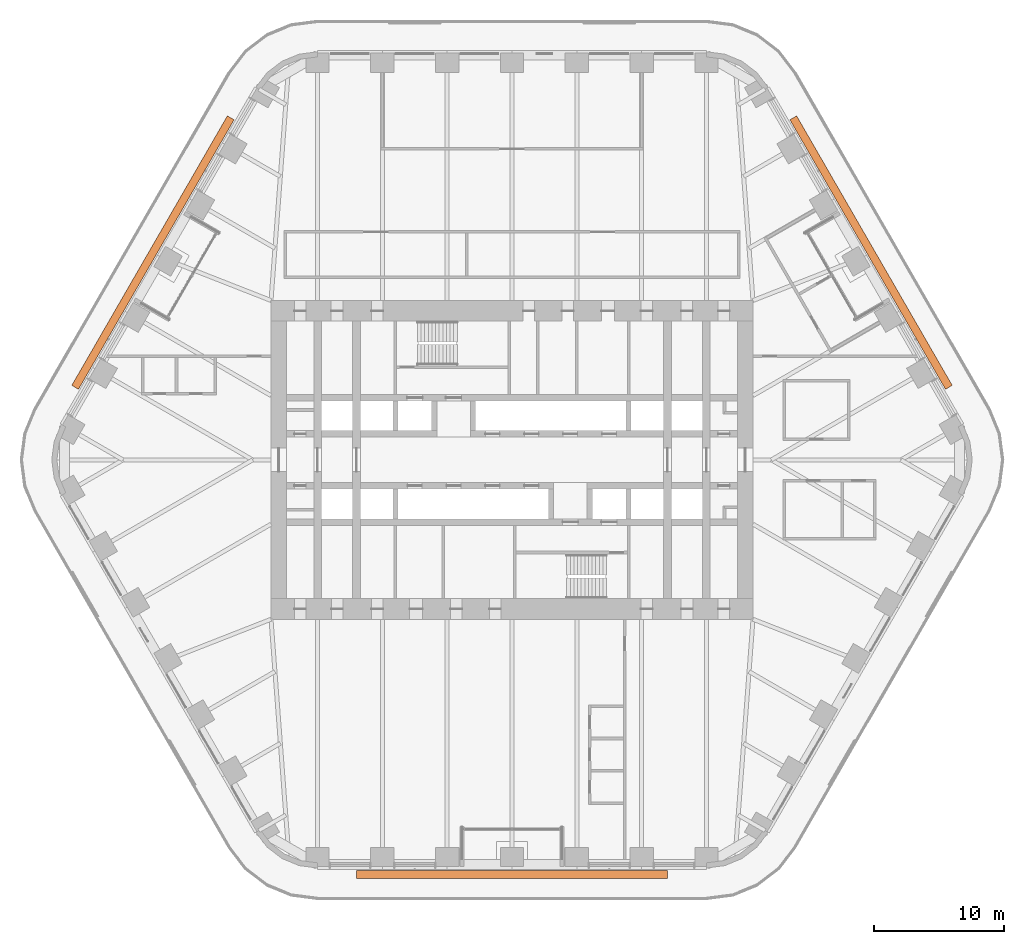
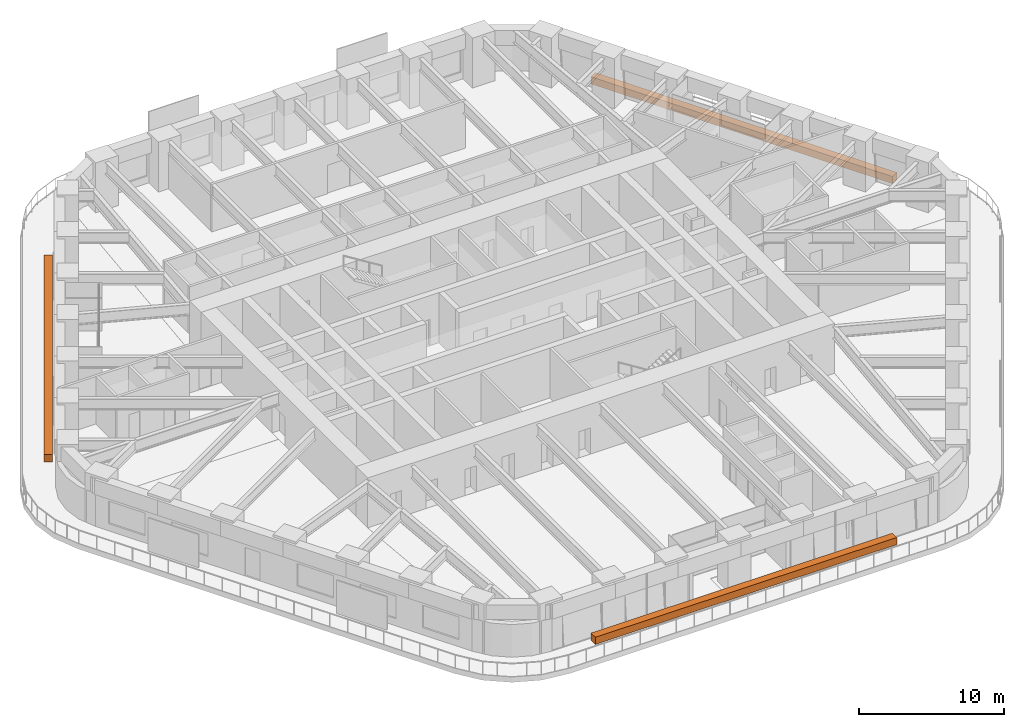
# One storey, part 24 of 24: 3 proxies.
"""IFC4 building model written with IfcOpenShell, lengths in metres."""

import ifcopenshell
import ifcopenshell.guid

model = None  # the IFC model being written
_history = None  # IfcOwnerHistory: only IFC2X3 demands one
_inside = {}  # id of a spatial element -> (the spatial element, [elements in it])
_under = {}  # id of a project, library or spatial element -> (it, [spatial elements below it])
_declared = {}  # id of a project -> (the project, [libraries it declares])
_typed = {}  # id of a type object -> (the type object, [elements of that type])
_made_of = {}  # id of a material, layer set ... -> (it, [elements and type objects made of it])


def new_model(schema):
    """Start an empty IFC model of exactly this schema.

    Asked for "IFC4X3", IfcOpenShell would pick the latest addendum, in which some entities
    have other attributes; the version numbers below select the first issue.
    IFC2X3 requires an IfcOwnerHistory on every rooted entity: one is made here for all.
    """
    global model, _history
    if schema == "IFC4X3":
        model = ifcopenshell.file(schema_version=(4, 3, 0, 0))
    else:
        model = ifcopenshell.file(schema=schema)
    _inside.clear()
    _under.clear()
    _declared.clear()
    _typed.clear()
    _made_of.clear()
    _history = None
    if model.schema == "IFC2X3":
        org = make("IfcOrganization", Name="unknown")
        user = make(
            "IfcPersonAndOrganization",
            ThePerson=make("IfcPerson", FamilyName="unknown"),
            TheOrganization=org,
        )
        app = make(
            "IfcApplication",
            ApplicationDeveloper=org,
            Version="unknown",
            ApplicationFullName="unknown",
            ApplicationIdentifier="unknown",
        )
        _history = make(
            "IfcOwnerHistory",
            OwningUser=user,
            OwningApplication=app,
            ChangeAction="ADDED",
            CreationDate=0,
        )
    return model


def make(cls, **values):
    """One entity of the class cls with the attributes given. An attribute that is None is left unset."""
    return model.create_entity(
        cls, **{name: value for name, value in values.items() if value is not None}
    )


def rooted(cls, **values):
    """An entity with a GlobalId (a new one), such as an element, a storey or a relation."""
    return make(cls, GlobalId=ifcopenshell.guid.new(), OwnerHistory=_history, **values)


def si_unit(unit_type, name, prefix=None):
    """IfcSIUnit, for example si_unit("LENGTHUNIT", "METRE", prefix="MILLI")."""
    return make("IfcSIUnit", UnitType=unit_type, Prefix=prefix, Name=name)


def assignment(units):
    """IfcUnitAssignment: the units of a project."""
    return None if units is None else make("IfcUnitAssignment", Units=units)


def point(xyz):
    """IfcCartesianPoint."""
    return None if xyz is None else make("IfcCartesianPoint", Coordinates=xyz)


def direction(xyz):
    """IfcDirection."""
    return None if xyz is None else make("IfcDirection", DirectionRatios=xyz)


def frame(location, z_axis=None, x_axis=None):
    """IfcAxis2Placement3D, a coordinate frame: its origin and axes. An axis left out is left unset."""
    return make(
        "IfcAxis2Placement3D",
        Location=point(location),
        Axis=direction(z_axis),
        RefDirection=direction(x_axis),
    )


def frame_2d(location, x_axis=None):
    """IfcAxis2Placement2D, a coordinate frame in the plane: its origin and x axis."""
    return make(
        "IfcAxis2Placement2D", Location=point(location), RefDirection=direction(x_axis)
    )


def origin():
    """The frame at (0, 0, 0) with its axes left unset."""
    return frame((0.0, 0.0, 0.0))


def origin_2d():
    """The frame at (0, 0) in the plane with its x axis left unset."""
    return frame_2d((0.0, 0.0))


def place(relative_to, where):
    """IfcLocalPlacement: puts the frame where relative to a parent placement (None: the world)."""
    return make(
        "IfcLocalPlacement", PlacementRelTo=relative_to, RelativePlacement=where
    )


def context(
    kind, dimensions, precision=None, world=None, true_north=None, identifier=None
):
    """IfcGeometricRepresentationContext, for example the 3D "Model" context."""
    return make(
        "IfcGeometricRepresentationContext",
        ContextIdentifier=identifier,
        ContextType=kind,
        CoordinateSpaceDimension=dimensions,
        Precision=precision,
        WorldCoordinateSystem=world,
        TrueNorth=true_north,
    )


def subcontext(parent, identifier, kind, view, scale=None):
    """IfcGeometricRepresentationSubContext, for example "Body" below "Model"."""
    return make(
        "IfcGeometricRepresentationSubContext",
        ContextIdentifier=identifier,
        ContextType=kind,
        ParentContext=parent,
        TargetScale=scale,
        TargetView=view,
    )


def project(units=None, contexts=None):
    """IfcProject with its units and contexts."""
    return rooted(
        "IfcProject",
        Name="project",
        RepresentationContexts=contexts,
        UnitsInContext=assignment(units),
    )


def spatial(cls, under=None, at=None, **own):
    """A site, building, storey or space (cls), placed at a placement, below another one or the project."""
    s = rooted(cls, ObjectPlacement=at, **own)
    if under is not None:
        _under.setdefault(under.id(), (under, []))[1].append(s)
    return s


def profile(cls, at=None, kind="AREA", **sizes):
    """A parametric profile (cls). Its sizes go by their IFC names, for example OverallWidth=200.0."""
    return make(cls, ProfileType=kind, Position=at, **sizes)


def rectangle(**sizes):
    """IfcRectangleProfileDef."""
    return profile("IfcRectangleProfileDef", **sizes)


def extrude(swept, where, along, depth):
    """IfcExtrudedAreaSolid: the profile swept, set in the frame where, extruded along a direction by depth."""
    return make(
        "IfcExtrudedAreaSolid",
        SweptArea=swept,
        Position=where,
        ExtrudedDirection=direction(along),
        Depth=depth,
    )


def shape(context_of_items, identifier, shape_type, items):
    """IfcShapeRepresentation: the items that make up one representation, for example the "Body"."""
    return make(
        "IfcShapeRepresentation",
        ContextOfItems=context_of_items,
        RepresentationIdentifier=identifier,
        RepresentationType=shape_type,
        Items=items,
    )


def material(Name=None, Category=None):
    """IfcMaterial."""
    return make("IfcMaterial", Name=Name, Category=Category)


def made_of(thing, what):
    """Note that an element or type object is made of a material, layer set ...; save() writes the relation."""
    if what is not None:
        _made_of.setdefault(what.id(), (what, []))[1].append(thing)
    return thing


def element(
    cls,
    number,
    at=None,
    inside=None,
    cuts=None,
    type_object=None,
    material=None,
    context=None,
    identifier="Body",
    shape_type=None,
    held_by="IfcProductDefinitionShape",
    body=None,
    shapes=None,
    **own,
):
    """One element of the class cls, such as IfcWall. Its Tag is "e" and its number.

    at: its placement. inside: the storey or other place that contains it. cuts: it is an
    opening in that element (IfcRelVoidsElement). A single representation is given by context,
    identifier, shape_type and body (its items); several are given by shapes. held_by: the class
    of the entity that holds the representations. save() writes the other relations.
    """
    e = rooted(cls, Tag="e%d" % number, ObjectPlacement=at, **own)
    if body is not None:
        shapes = [shape(context, identifier, shape_type, body)]
    if shapes is not None:
        e.Representation = make(held_by, Representations=shapes)
    if inside is not None:
        _inside.setdefault(inside.id(), (inside, []))[1].append(e)
    if cuts is not None:
        rooted(
            "IfcRelVoidsElement", RelatingBuildingElement=cuts, RelatedOpeningElement=e
        )
    if type_object is not None:
        _typed.setdefault(type_object.id(), (type_object, []))[1].append(e)
    return made_of(e, material)


def aggregate(whole, parts):
    """IfcRelAggregates: a whole, such as a stair, and the parts it consists of."""
    return rooted("IfcRelAggregates", RelatingObject=whole, RelatedObjects=parts)


def save(model, path):
    """Write the relations noted so far, then the file.

    IfcRelAggregates (storeys below a building ...), IfcRelContainedInSpatialStructure (elements
    in a storey), IfcRelDefinesByType, IfcRelAssociatesMaterial and IfcRelDeclares: one each for
    every whole, place, type object, material and project.
    """
    for whole, parts in _under.values():
        aggregate(whole, parts)
    for where, things in _inside.values():
        rooted(
            "IfcRelContainedInSpatialStructure",
            RelatedElements=things,
            RelatingStructure=where,
        )
    for kind, things in _typed.values():
        rooted("IfcRelDefinesByType", RelatedObjects=things, RelatingType=kind)
    for what, things in _made_of.values():
        rooted("IfcRelAssociatesMaterial", RelatedObjects=things, RelatingMaterial=what)
    for by, libraries in _declared.values():
        rooted("IfcRelDeclares", RelatingContext=by, RelatedDefinitions=libraries)
    model.write(path)


model = new_model("IFC4")

# Units and contexts
model_context = context("Model", 3, precision=1e-05, world=origin(), true_north=direction((0.0, 1.0)))
body_context = subcontext(model_context, "Body", "Model", "MODEL_VIEW")
ifc_project = project(units=[si_unit("LENGTHUNIT", "METRE"), si_unit("AREAUNIT", "SQUARE_METRE"), si_unit("VOLUMEUNIT", "CUBIC_METRE"), si_unit("PLANEANGLEUNIT", "RADIAN"), si_unit("MASSUNIT", "GRAM", prefix="KILO")], contexts=[model_context])

# Site, building, storey
site_placement = place(None, origin())
site = spatial("IfcSite", under=ifc_project, at=site_placement, CompositionType="ELEMENT")
building_placement = place(site_placement, origin())
building = spatial("IfcBuilding", under=site, at=building_placement, Name="Tarfa Lantern Tower", CompositionType="ELEMENT")
storey_placement = place(building_placement, frame((0.0, 0.0, 136.300048828125)))
storey = spatial("IfcBuildingStorey", under=building, at=storey_placement, Name="L30", CompositionType="ELEMENT", Elevation=136.300048828125)

# Proxies
ifc_material = material(Name="Planting bed")
for number, where, z_axis, x_axis, name in (
    (1, (27.712890625, 16.0, 0.0), (0.0, 0.0, 1.0), (-0.5, 0.866025403784, 0.0), "Balcony planter"),
    (2, (-27.712890625, 16.0, 0.0), (0.0, 0.0, 1.0), (-0.5, -0.866025403784, 0.0), "Balcony planter"),
    (3, (0.0, -32.0, 0.0), (0.0, 0.0, 1.0), (1.0, 0.0, 0.0), "Balcony planter"),
):
    element("IfcBuildingElementProxy", number, at=place(storey_placement, frame(where, z_axis=z_axis, x_axis=x_axis)), inside=storey, material=ifc_material, Name=name, ObjectType="PLANTER", PredefinedType="USERDEFINED", context=body_context, shape_type="SweptSolid", body=[
        extrude(rectangle(XDim=24.017822265625, YDim=0.60009765625, at=origin_2d()), origin(), (0.0, 0.0, 1.0), 0.60009765625),
    ])

save(model, "model.ifc")
